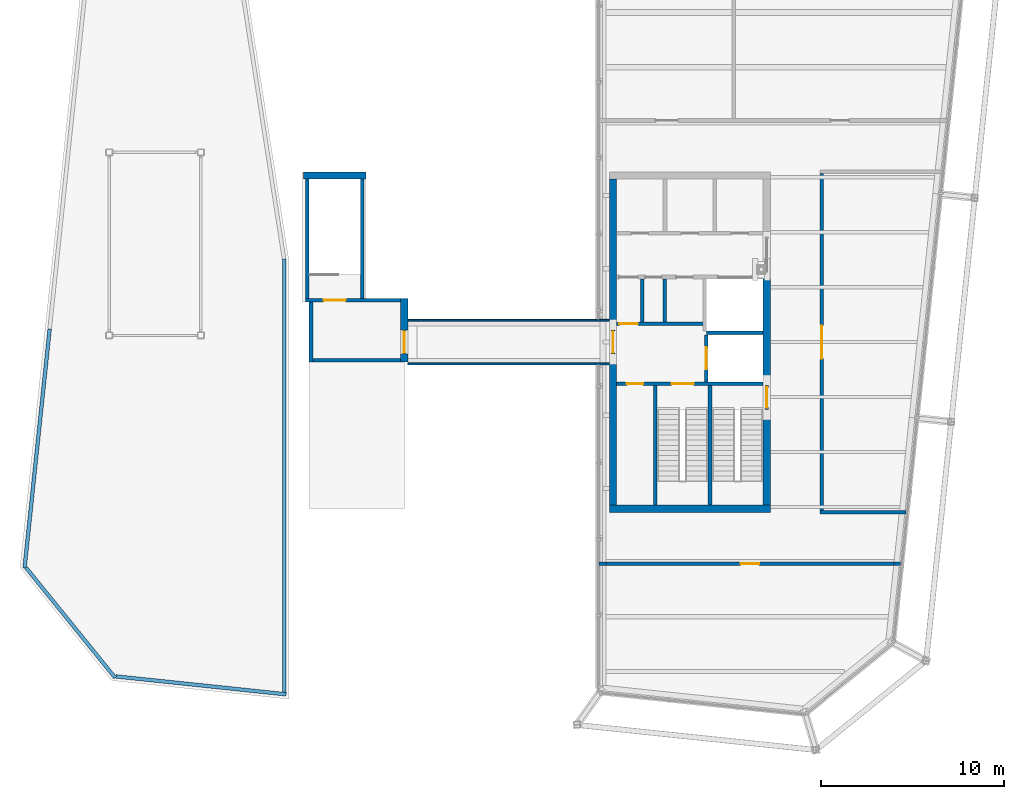
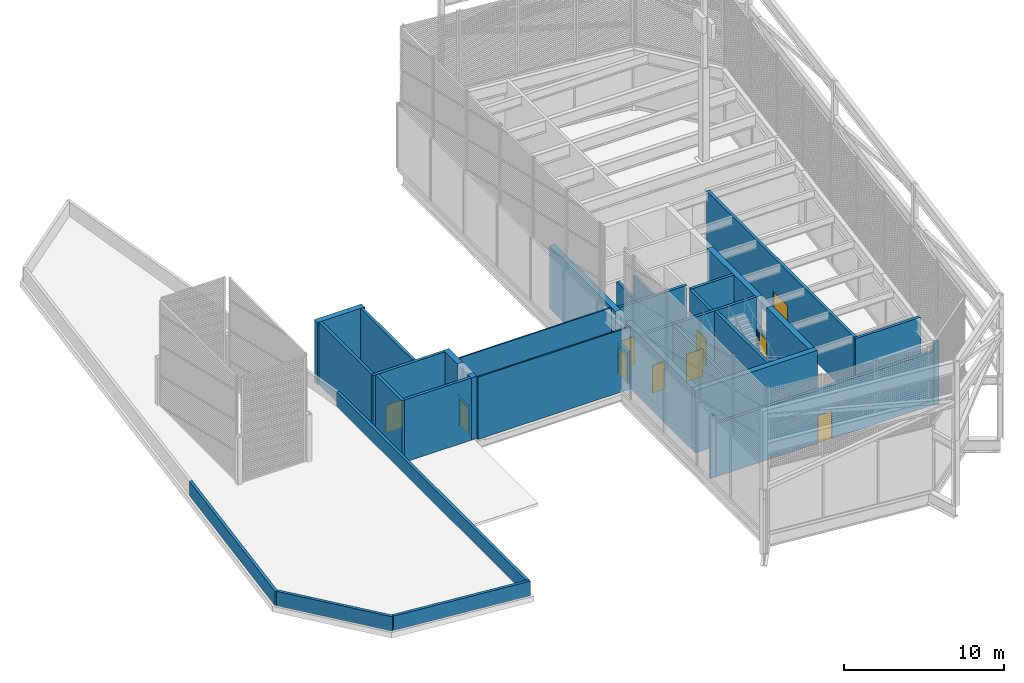
# One storey, part 9 of 11: 35 walls, 10 doors, 10 openings.
"""IFC4 building model written with IfcOpenShell, lengths in metres."""

from ifc_helpers import new_model, si_unit, direction, frame, frame_2d, origin, place, context, subcontext, project, spatial, rectangle, extrude, material, layer, layer_set, type_object, element, fill, save


model = new_model("IFC4")

# Units and contexts
model_context = context("Model", 3, precision=1e-05, world=origin(), true_north=direction((0.0, 1.0)))
body_context = subcontext(model_context, "Body", "Model", "MODEL_VIEW")
ifc_project = project(units=[si_unit("LENGTHUNIT", "METRE"), si_unit("AREAUNIT", "SQUARE_METRE"), si_unit("VOLUMEUNIT", "CUBIC_METRE"), si_unit("PLANEANGLEUNIT", "RADIAN"), si_unit("MASSUNIT", "GRAM", prefix="KILO")], contexts=[model_context])

# Site, building, storey
site_placement = place(None, origin())
site = spatial("IfcSite", under=ifc_project, at=site_placement, CompositionType="ELEMENT")
building_placement = place(site_placement, origin())
building = spatial("IfcBuilding", under=site, at=building_placement, Name="Millrace Tower", CompositionType="ELEMENT")
storey_placement = place(building_placement, frame((0.0, 0.0, 357.10009765625)))
storey = spatial("IfcBuildingStorey", under=building, at=storey_placement, Name="L82", CompositionType="ELEMENT", Elevation=357.10009765625)

# Walls
ifc_material_1 = material(Name="Concrete C60", Category="concrete")
ifc_layer_1 = layer(ifc_material_1, 0.39990234375)
ifc_layer_set_1 = layer_set([ifc_layer_1], Name="Concrete C60")
wall_type_1 = type_object("IfcWallType", Name="Core wall 400 Concrete C60", PredefinedType="SHEAR", material=ifc_layer_set_1)
wall_1_placement = place(storey_placement, frame((14.300048828125, -9.10009765625, 0.0), z_axis=(0.0, 0.0, 1.0), x_axis=(-1.0, 0.0, 0.0)))
element("IfcWall", 1, at=wall_1_placement, inside=storey, type_object=wall_type_1, Name="Core wall E L82", PredefinedType="SHEAR", context=body_context, shape_type="SweptSolid", body=[
    extrude(rectangle(XDim=8.800048828125, YDim=0.39990234375, at=frame_2d((4.39990234375, 0.0))), origin(), (0.0, 0.0, 1.0), 4.75),
])
wall_2_placement = place(storey_placement, frame((14.10009765625, 3.75, 0.0), z_axis=(0.0, 0.0, 1.0), x_axis=(0.0, -1.0, 0.0)))
element("IfcWall", 2, at=wall_2_placement, inside=storey, type_object=wall_type_1, Name="Core wall E L82", PredefinedType="SHEAR", context=body_context, shape_type="SweptSolid", body=[
    extrude(rectangle(XDim=6.1298828125, YDim=0.39990234375, at=frame_2d((3.06494140625, 0.0))), origin(), (0.0, 0.0, 1.0), 4.75),
])
wall_3_placement = place(storey_placement, frame((14.10009765625, -3.679931640625, 0.0), z_axis=(0.0, 0.0, 1.0), x_axis=(0.0, -1.0, 0.0)))
element("IfcWall", 3, at=wall_3_placement, inside=storey, type_object=wall_type_1, Name="Core wall E L82", PredefinedType="SHEAR", context=body_context, shape_type="SweptSolid", body=[
    extrude(rectangle(XDim=5.219970703125, YDim=0.39990234375, at=frame_2d((2.60986328125, 0.0))), origin(), (0.0, 0.0, 1.0), 4.75),
])
for number, where, z_axis, x_axis, name in (
    (4, (5.699951171875, 8.89990234375, 0.0), (0.0, 0.0, 1.0), (0.0, -1.0, 0.0), "Core wall E L82"),
    (5, (5.699951171875, -0.64990234375, 0.0), (0.0, 0.0, 1.0), (0.0, -1.0, 0.0), "Core wall E L82"),
):
    element("IfcWall", number, at=place(storey_placement, frame(where, z_axis=z_axis, x_axis=x_axis)), inside=storey, type_object=wall_type_1, Name=name, PredefinedType="SHEAR", context=body_context, shape_type="SweptSolid", body=[
        extrude(rectangle(XDim=8.25, YDim=0.39990234375, at=frame_2d((4.125, 0.0))), origin(), (0.0, 0.0, 1.0), 4.75),
    ])
ifc_material_2 = material(Name="Masonry partition, fire-rated", Category="masonry")
ifc_layer_2 = layer(ifc_material_2, 0.199951171875)
ifc_layer_set_2 = layer_set([ifc_layer_2], Name="Masonry partition, fire-rated")
wall_type_2 = type_object("IfcWallType", Name="Corridor wall 200", PredefinedType="PARTITIONING", material=ifc_layer_set_2)
wall_4_placement = place(storey_placement, frame((4.93994140625, -12.10009765625, 0.0), z_axis=(0.0, 0.0, 1.0), x_axis=(1.0, 0.0, 0.0)))
element("IfcWall", 6, at=wall_4_placement, inside=storey, type_object=wall_type_2, Name="Corridor wall L82", PredefinedType="PARTITIONING", context=body_context, shape_type="SweptSolid", body=[
    extrude(rectangle(XDim=0.367431640625, YDim=0.199951171875, at=frame_2d((0.18359375, 0.0))), origin(), (0.0, 0.0, 1.0), 4.75),
])

# Wall, opening, door
wall_5_placement = place(storey_placement, frame((5.307373046875, -12.10009765625, 0.0), z_axis=(0.0, 0.0, 1.0), x_axis=(1.0, 0.0, 0.0)))
wall_5 = element("IfcWall", 7, at=wall_5_placement, inside=storey, type_object=wall_type_2, Name="Corridor wall L82", PredefinedType="PARTITIONING", context=body_context, shape_type="SweptSolid", body=[
    extrude(rectangle(XDim=15.740478515625, YDim=0.199951171875, at=frame_2d((7.8701171875, 0.0))), origin(), (0.0, 0.0, 1.0), 4.056396484375),
])
opening_1_placement = place(wall_5_placement, frame((7.365966796875, 0.0, 0.0)))
opening_1 = element("IfcOpeningElement", 8, at=opening_1_placement, cuts=wall_5, Name="Opening 82-P004", PredefinedType="OPENING", context=body_context, shape_type="SweptSolid", body=[
    extrude(rectangle(XDim=1.0, YDim=2.10009765625, at=frame_2d((0.5, 1.050048828125))), frame((0.0, 0.10986328125, 0.0), z_axis=(0.0, -1.0, 0.0), x_axis=(1.0, 0.0, 0.0)), (0.0, 0.0, 1.0), 0.219970703125),
])
ifc_material_3 = material(Name="Steel door set, fire-rated", Category="steel")
door_type_1 = type_object("IfcDoorType", Name="Corridor door 1000 x 2100", OperationType="SINGLE_SWING_LEFT", PredefinedType="DOOR", material=ifc_material_3)
door_1_placement = place(opening_1_placement, frame((1.0, 0.0, 0.0), z_axis=(0.0, 0.0, 1.0), x_axis=(-1.0, 0.0, 0.0)))
door_1 = element("IfcDoor", 9, at=door_1_placement, inside=storey, type_object=door_type_1, Name="Door 82-P004", OperationType="SINGLE_SWING_LEFT", OverallHeight=2.10009765625, OverallWidth=1.0, PredefinedType="DOOR", context=body_context, shape_type="SweptSolid", body=[
    extrude(rectangle(XDim=1.0, YDim=2.10009765625, at=frame_2d((0.5, 1.050048828125))), frame((0.0, 0.02490234375, 0.0), z_axis=(0.0, -1.0, 0.0), x_axis=(1.0, 0.0, 0.0)), (0.0, 0.0, 1.0), 0.050048828125),
])
fill(opening_1, door_1)

# Walls
wall_6_placement = place(storey_placement, frame((21.0478515625, -12.10009765625, 0.0), z_axis=(0.0, 0.0, 1.0), x_axis=(1.0, 0.0, 0.0)))
element("IfcWall", 10, at=wall_6_placement, inside=storey, type_object=wall_type_2, Name="Corridor wall L82", PredefinedType="PARTITIONING", context=body_context, shape_type="SweptSolid", body=[
    extrude(rectangle(XDim=0.35888671875, YDim=0.199951171875, at=frame_2d((0.179443359375, 0.0))), origin(), (0.0, 0.0, 1.0), 4.75),
])
wall_7_placement = place(storey_placement, frame((17.0, -9.300048828125, 0.0), z_axis=(0.0, 0.0, 1.0), x_axis=(1.0, 0.0, 0.0)))
element("IfcWall", 11, at=wall_7_placement, inside=storey, type_object=wall_type_2, Name="Corridor wall L82", PredefinedType="PARTITIONING", context=body_context, shape_type="SweptSolid", body=[
    extrude(rectangle(XDim=4.700927734375, YDim=0.199951171875, at=frame_2d((2.3505859375, 0.0))), origin(), (0.0, 0.0, 1.0), 4.75),
])

# Wall, opening, door
wall_8_placement = place(storey_placement, frame((17.10009765625, -9.199951171875, 0.0), z_axis=(0.0, 0.0, 1.0), x_axis=(0.0, 1.0, 0.0)))
wall_8 = element("IfcWall", 12, at=wall_8_placement, inside=storey, type_object=wall_type_2, Name="Corridor wall L82", PredefinedType="PARTITIONING", context=body_context, shape_type="SweptSolid", body=[
    extrude(rectangle(XDim=18.39990234375, YDim=0.199951171875, at=frame_2d((9.199951171875, 0.0))), origin(), (0.0, 0.0, 1.0), 4.75),
])
opening_2_placement = place(wall_8_placement, frame((8.300048828125, 0.0, 0.0)))
opening_2 = element("IfcOpeningElement", 13, at=opening_2_placement, cuts=wall_8, Name="Opening 82-P003", PredefinedType="OPENING", context=body_context, shape_type="SweptSolid", body=[
    extrude(rectangle(XDim=1.800048828125, YDim=2.10009765625, at=frame_2d((0.89990234375, 1.050048828125))), frame((0.0, 0.10986328125, 0.0), z_axis=(0.0, -1.0, 0.0), x_axis=(1.0, 0.0, 0.0)), (0.0, 0.0, 1.0), 0.219970703125),
])
ifc_material_4 = material(Name="Steel door set, fire-rated", Category="steel")
door_type_2 = type_object("IfcDoorType", Name="Corridor door 1800 x 2100", OperationType="DOUBLE_DOOR_SINGLE_SWING", PredefinedType="DOOR", material=ifc_material_4)
door_2_placement = place(opening_2_placement, frame((1.800048828125, 0.0, 0.0), z_axis=(0.0, 0.0, 1.0), x_axis=(-1.0, 0.0, 0.0)))
door_2 = element("IfcDoor", 14, at=door_2_placement, inside=storey, type_object=door_type_2, Name="Door 82-P003", OperationType="DOUBLE_DOOR_SINGLE_SWING", OverallHeight=2.10009765625, OverallWidth=1.800048828125, PredefinedType="DOOR", context=body_context, shape_type="SweptSolid", body=[
    extrude(rectangle(XDim=1.800048828125, YDim=2.10009765625, at=frame_2d((0.89990234375, 1.050048828125))), frame((0.0, 0.02490234375, 0.0), z_axis=(0.0, -1.0, 0.0), x_axis=(1.0, 0.0, 0.0)), (0.0, 0.0, 1.0), 0.050048828125),
])
fill(opening_2, door_2)

# Walls
ifc_material_5 = material(Name="Fire-resistant glazing", Category="glass")
ifc_layer_3 = layer(ifc_material_5, 0.10009765625)
ifc_layer_set_3 = layer_set([ifc_layer_3], Name="Fire-resistant glazing")
wall_type_3 = type_object("IfcWallType", Name="Glazed fire screen 100", PredefinedType="PARTITIONING", material=ifc_layer_set_3)
for number, where, z_axis, x_axis, name in (
    (15, (-5.5, -1.18994140625, 0.0), (0.0, 0.0, 1.0), (1.0, 0.0, 0.0), "Crown link glazed wall L82"),
    (16, (-5.5, 1.18994140625, 0.0), (0.0, 0.0, 1.0), (1.0, 0.0, 0.0), "Crown link glazed wall L82"),
):
    element("IfcWall", number, at=place(storey_placement, frame(where, z_axis=z_axis, x_axis=x_axis)), inside=storey, type_object=wall_type_3, Name=name, PredefinedType="PARTITIONING", context=body_context, shape_type="SweptSolid", body=[
        extrude(rectangle(XDim=11.0, YDim=0.10009765625, at=frame_2d((5.5, 0.0))), origin(), (0.0, 0.0, 1.0), 4.75),
    ])
ifc_material_6 = material(Name="Masonry partition, fire-rated", Category="masonry")
ifc_layer_4 = layer(ifc_material_6, 0.199951171875)
ifc_layer_set_4 = layer_set([ifc_layer_4], Name="Masonry partition, fire-rated")
wall_type_4 = type_object("IfcWallType", Name="Lift shaft wall 200", PredefinedType="PARTITIONING", material=ifc_layer_set_4)
wall_9_placement = place(storey_placement, frame((13.89990234375, 0.5, 0.0), z_axis=(0.0, 0.0, 1.0), x_axis=(-1.0, 0.0, 0.0)))
element("IfcWall", 17, at=wall_9_placement, inside=storey, type_object=wall_type_4, Name="Lift shaft wall E L82", PredefinedType="PARTITIONING", context=body_context, shape_type="SweptSolid", body=[
    extrude(rectangle(XDim=3.099853515625, YDim=0.199951171875, at=frame_2d((1.5498046875, 0.0))), origin(), (0.0, 0.0, 1.0), 4.75),
])

# Wall, opening, door
wall_10_placement = place(storey_placement, frame((10.800048828125, 1.0, 0.0), z_axis=(0.0, 0.0, 1.0), x_axis=(-1.0, 0.0, 0.0)))
wall_10 = element("IfcWall", 18, at=wall_10_placement, inside=storey, type_object=wall_type_4, Name="Lift shaft wall E L82", PredefinedType="PARTITIONING", context=body_context, shape_type="SweptSolid", body=[
    extrude(rectangle(XDim=4.900146484375, YDim=0.199951171875, at=frame_2d((2.4501953125, 0.0))), origin(), (0.0, 0.0, 1.0), 4.75),
])
opening_3_placement = place(wall_10_placement, frame((3.75, 0.0, 0.0)))
opening_3 = element("IfcOpeningElement", 19, at=opening_3_placement, cuts=wall_10, Name="Opening 82-C012", PredefinedType="OPENING", context=body_context, shape_type="SweptSolid", body=[
    extrude(rectangle(XDim=1.0, YDim=2.10009765625, at=frame_2d((0.5, 1.050048828125))), frame((0.0, 0.10986328125, 0.0), z_axis=(0.0, -1.0, 0.0), x_axis=(1.0, 0.0, 0.0)), (0.0, 0.0, 1.0), 0.219970703125),
])
ifc_material_7 = material(Name="Steel door, fire-rated", Category="steel")
door_type_3 = type_object("IfcDoorType", Name="Lobby door 1000 x 2100", OperationType="SINGLE_SWING_LEFT", PredefinedType="DOOR", material=ifc_material_7)
door_3_placement = place(opening_3_placement, origin())
door_3 = element("IfcDoor", 20, at=door_3_placement, inside=storey, type_object=door_type_3, Name="Lobby door 82-C012", OperationType="SINGLE_SWING_LEFT", OverallHeight=2.10009765625, OverallWidth=1.0, PredefinedType="DOOR", context=body_context, shape_type="SweptSolid", body=[
    extrude(rectangle(XDim=1.0, YDim=2.10009765625, at=frame_2d((0.5, 1.050048828125))), frame((0.0, 0.02490234375, 0.0), z_axis=(0.0, -1.0, 0.0), x_axis=(1.0, 0.0, 0.0)), (0.0, 0.0, 1.0), 0.050048828125),
])
fill(opening_3, door_3)

wall_11_placement = place(storey_placement, frame((10.800048828125, 0.39990234375, 0.0), z_axis=(0.0, 0.0, 1.0), x_axis=(0.0, -1.0, 0.0)))
wall_11 = element("IfcWall", 21, at=wall_11_placement, inside=storey, type_object=wall_type_4, Name="Lift shaft wall E L82", PredefinedType="PARTITIONING", context=body_context, shape_type="SweptSolid", body=[
    extrude(rectangle(XDim=2.579833984375, YDim=0.199951171875, at=frame_2d((1.2900390625, 0.0))), origin(), (0.0, 0.0, 1.0), 4.75),
])
opening_4_placement = place(wall_11_placement, frame((0.68994140625, 0.0, 0.0)))
opening_4 = element("IfcOpeningElement", 22, at=opening_4_placement, cuts=wall_11, Name="Opening 82-LD16", PredefinedType="OPENING", context=body_context, shape_type="SweptSolid", body=[
    extrude(rectangle(XDim=1.199951171875, YDim=2.10009765625, at=frame_2d((0.60009765625, 1.050048828125))), frame((0.0, 0.10986328125, 0.0), z_axis=(0.0, -1.0, 0.0), x_axis=(1.0, 0.0, 0.0)), (0.0, 0.0, 1.0), 0.219970703125),
])
ifc_material_8 = material(Name="Stainless steel, fire-rated", Category="steel")
door_type_4 = type_object("IfcDoorType", Name="Lift landing door 1200 x 2100", OperationType="DOUBLE_DOOR_SLIDING", PredefinedType="DOOR", material=ifc_material_8)
door_4_placement = place(opening_4_placement, origin())
door_4 = element("IfcDoor", 23, at=door_4_placement, inside=storey, type_object=door_type_4, Name="Lift landing door LF16 L82", OperationType="DOUBLE_DOOR_SLIDING", OverallHeight=2.10009765625, OverallWidth=1.199951171875, PredefinedType="DOOR", context=body_context, shape_type="SweptSolid", body=[
    extrude(rectangle(XDim=1.199951171875, YDim=2.10009765625, at=frame_2d((0.60009765625, 1.050048828125))), frame((0.0, 0.02490234375, 0.0), z_axis=(0.0, -1.0, 0.0), x_axis=(1.0, 0.0, 0.0)), (0.0, 0.0, 1.0), 0.050048828125),
])
fill(opening_4, door_4)

# Wall
wall_12_placement = place(storey_placement, frame((7.300048828125, 3.449951171875, 0.0), z_axis=(0.0, 0.0, 1.0), x_axis=(0.0, -1.0, 0.0)))
element("IfcWall", 24, at=wall_12_placement, inside=storey, type_object=wall_type_4, Name="Lift shaft wall E L82", PredefinedType="PARTITIONING", context=body_context, shape_type="SweptSolid", body=[
    extrude(rectangle(XDim=2.349853515625, YDim=0.199951171875, at=frame_2d((1.1748046875, 0.0))), origin(), (0.0, 0.0, 1.0), 4.75),
])

# Wall, opening, door
ifc_material_9 = material(Name="Masonry partition, fire-rated", Category="masonry")
ifc_layer_5 = layer(ifc_material_9, 0.199951171875)
ifc_layer_set_5 = layer_set([ifc_layer_5], Name="Masonry partition, fire-rated")
wall_type_5 = type_object("IfcWallType", Name="Lobby wall 200", PredefinedType="PARTITIONING", material=ifc_layer_set_5)
wall_13_placement = place(storey_placement, frame((-5.699951171875, -0.64990234375, 0.0), z_axis=(0.0, 0.0, 1.0), x_axis=(0.0, 1.0, 0.0)))
wall_13 = element("IfcWall", 25, at=wall_13_placement, inside=storey, type_object=wall_type_5, Name="Lobby wall W L82", PredefinedType="PARTITIONING", context=body_context, shape_type="SweptSolid", body=[
    extrude(rectangle(XDim=1.2998046875, YDim=0.199951171875, at=frame_2d((0.64990234375, 0.0))), origin(), (0.0, 0.0, 1.0), 2.39990234375),
])
opening_5_placement = place(wall_13_placement, frame((0.050048828125, 0.0, 0.0)))
opening_5 = element("IfcOpeningElement", 26, at=opening_5_placement, cuts=wall_13, Name="Opening 82-C001", PredefinedType="OPENING", context=body_context, shape_type="SweptSolid", body=[
    extrude(rectangle(XDim=1.199951171875, YDim=2.10009765625, at=frame_2d((0.60009765625, 1.050048828125))), frame((0.0, 0.10986328125, 0.0), z_axis=(0.0, -1.0, 0.0), x_axis=(1.0, 0.0, 0.0)), (0.0, 0.0, 1.0), 0.219970703125),
])
ifc_material_10 = material(Name="Steel door, fire-rated", Category="steel")
door_type_5 = type_object("IfcDoorType", Name="Lobby door 1200 x 2100", OperationType="SINGLE_SWING_LEFT", PredefinedType="DOOR", material=ifc_material_10)
door_5_placement = place(opening_5_placement, origin())
door_5 = element("IfcDoor", 27, at=door_5_placement, inside=storey, type_object=door_type_5, Name="Lobby door 82-C001", OperationType="SINGLE_SWING_LEFT", OverallHeight=2.10009765625, OverallWidth=1.199951171875, PredefinedType="DOOR", context=body_context, shape_type="SweptSolid", body=[
    extrude(rectangle(XDim=1.199951171875, YDim=2.10009765625, at=frame_2d((0.60009765625, 1.050048828125))), frame((0.0, 0.02490234375, 0.0), z_axis=(0.0, -1.0, 0.0), x_axis=(1.0, 0.0, 0.0)), (0.0, 0.0, 1.0), 0.050048828125),
])
fill(opening_5, door_5)

wall_14_placement = place(storey_placement, frame((5.699951171875, 0.64990234375, 0.0), z_axis=(0.0, 0.0, 1.0), x_axis=(0.0, -1.0, 0.0)))
wall_14 = element("IfcWall", 28, at=wall_14_placement, inside=storey, type_object=wall_type_5, Name="Lobby wall E L82", PredefinedType="PARTITIONING", context=body_context, shape_type="SweptSolid", body=[
    extrude(rectangle(XDim=1.2998046875, YDim=0.199951171875, at=frame_2d((0.64990234375, 0.0))), origin(), (0.0, 0.0, 1.0), 2.39990234375),
])
opening_6_placement = place(wall_14_placement, frame((0.050048828125, 0.0, 0.0)))
opening_6 = element("IfcOpeningElement", 29, at=opening_6_placement, cuts=wall_14, Name="Opening 82-C005", PredefinedType="OPENING", context=body_context, shape_type="SweptSolid", body=[
    extrude(rectangle(XDim=1.199951171875, YDim=2.10009765625, at=frame_2d((0.60009765625, 1.050048828125))), frame((0.0, 0.10986328125, 0.0), z_axis=(0.0, -1.0, 0.0), x_axis=(1.0, 0.0, 0.0)), (0.0, 0.0, 1.0), 0.219970703125),
])
door_6_placement = place(opening_6_placement, origin())
door_6 = element("IfcDoor", 30, at=door_6_placement, inside=storey, type_object=door_type_5, Name="Lobby door 82-C005", OperationType="SINGLE_SWING_LEFT", OverallHeight=2.10009765625, OverallWidth=1.199951171875, PredefinedType="DOOR", context=body_context, shape_type="SweptSolid", body=[
    extrude(rectangle(XDim=1.199951171875, YDim=2.10009765625, at=frame_2d((0.60009765625, 1.050048828125))), frame((0.0, 0.02490234375, 0.0), z_axis=(0.0, -1.0, 0.0), x_axis=(1.0, 0.0, 0.0)), (0.0, 0.0, 1.0), 0.050048828125),
])
fill(opening_6, door_6)

# Walls
ifc_material_11 = material(Name="Concrete C40", Category="concrete")
ifc_layer_6 = layer(ifc_material_11, 0.199951171875)
ifc_layer_set_6 = layer_set([ifc_layer_6], Name="Concrete C40")
wall_type_6 = type_object("IfcWallType", Name="Roof parapet 1100", PredefinedType="PARAPET", material=ifc_layer_set_6)
wall_15_placement = place(storey_placement, frame((-25.067626953125, 0.721435546875, 1.419921875), z_axis=(0.0, 0.0, 1.0), x_axis=(-0.104528932251, -0.994521846076, 0.0)))
element("IfcWall", 31, at=wall_15_placement, inside=storey, type_object=wall_type_6, Name="Crown roof parapet W 4", PredefinedType="PARAPET", context=body_context, shape_type="SweptSolid", body=[
    extrude(rectangle(XDim=13.128662109375, YDim=0.199951171875, at=frame_2d((6.564453125, 0.0))), origin(), (0.0, 0.0, 1.0), 1.10009765625),
])
wall_16_placement = place(storey_placement, frame((-26.36669921875, -12.3134765625, 1.419921875), z_axis=(0.0, 0.0, 1.0), x_axis=(0.62932438279, -0.777142728993, 0.0)))
element("IfcWall", 32, at=wall_16_placement, inside=storey, type_object=wall_type_6, Name="Crown roof parapet W 5", PredefinedType="PARAPET", context=body_context, shape_type="SweptSolid", body=[
    extrude(rectangle(XDim=7.73779296875, YDim=0.199951171875, at=frame_2d((3.868896484375, 0.0))), origin(), (0.0, 0.0, 1.0), 1.10009765625),
])
wall_17_placement = place(storey_placement, frame((-21.46044921875, -18.259765625, 1.419921875), z_axis=(0.0, 0.0, 1.0), x_axis=(0.994521732162, -0.104530016062, 0.0)))
element("IfcWall", 33, at=wall_17_placement, inside=storey, type_object=wall_type_6, Name="Crown roof parapet W 6", PredefinedType="PARAPET", context=body_context, shape_type="SweptSolid", body=[
    extrude(rectangle(XDim=9.361083984375, YDim=0.199951171875, at=frame_2d((4.6806640625, 0.0))), origin(), (0.0, 0.0, 1.0), 1.10009765625),
])
wall_18_placement = place(storey_placement, frame((-12.25, -19.127685546875, 1.419921875), z_axis=(0.0, 0.0, 1.0), x_axis=(0.0, 1.0, 0.0)))
element("IfcWall", 34, at=wall_18_placement, inside=storey, type_object=wall_type_6, Name="Crown roof parapet W 7", PredefinedType="PARAPET", context=body_context, shape_type="SweptSolid", body=[
    extrude(rectangle(XDim=23.65771484375, YDim=0.199951171875, at=frame_2d((11.828857421875, 0.0))), origin(), (0.0, 0.0, 1.0), 1.10009765625),
])
ifc_material_12 = material(Name="Masonry partition, fire-rated", Category="masonry")
ifc_layer_7 = layer(ifc_material_12, 0.199951171875)
ifc_layer_set_7 = layer_set([ifc_layer_7], Name="Masonry partition, fire-rated")
wall_type_7 = type_object("IfcWallType", Name="Room partition 200", PredefinedType="PARTITIONING", material=ifc_layer_set_7)
wall_19_placement = place(storey_placement, frame((8.52001953125, 3.449951171875, 0.0), z_axis=(0.0, 0.0, 1.0), x_axis=(0.0, -1.0, 0.0)))
element("IfcWall", 35, at=wall_19_placement, inside=storey, type_object=wall_type_7, Name="Room partition E L82", PredefinedType="PARTITIONING", context=body_context, shape_type="SweptSolid", body=[
    extrude(rectangle(XDim=2.349853515625, YDim=0.199951171875, at=frame_2d((1.1748046875, 0.0))), origin(), (0.0, 0.0, 1.0), 4.75),
])
ifc_material_13 = material(Name="Concrete C40", Category="concrete")
ifc_layer_8 = layer(ifc_material_13, 0.199951171875)
ifc_layer_set_8 = layer_set([ifc_layer_8], Name="Concrete C40")
wall_type_8 = type_object("IfcWallType", Name="Stair enclosure wall 200 Concrete C40", PredefinedType="SHEAR", material=ifc_layer_set_8)
for number, where, z_axis, x_axis, name in (
    (36, (-11.0, 2.3798828125, 0.0), (0.0, 0.0, 1.0), (0.0, 1.0, 0.0), "Stair enclosure wall W L82"),
    (37, (-8.0, 2.3798828125, 0.0), (0.0, 0.0, 1.0), (0.0, 1.0, 0.0), "Stair enclosure wall W L82"),
):
    element("IfcWall", number, at=place(storey_placement, frame(where, z_axis=z_axis, x_axis=x_axis)), inside=storey, type_object=wall_type_8, Name=name, PredefinedType="SHEAR", context=body_context, shape_type="SweptSolid", body=[
        extrude(rectangle(XDim=6.52001953125, YDim=0.199951171875, at=frame_2d((3.260009765625, 0.0))), origin(), (0.0, 0.0, 1.0), 4.75),
    ])

# Wall, opening, door
wall_20_placement = place(storey_placement, frame((-11.10009765625, 2.280029296875, 0.0), z_axis=(0.0, 0.0, 1.0), x_axis=(1.0, 0.0, 0.0)))
wall_20 = element("IfcWall", 38, at=wall_20_placement, inside=storey, type_object=wall_type_8, Name="Stair enclosure wall W L82", PredefinedType="SHEAR", context=body_context, shape_type="SweptSolid", body=[
    extrude(rectangle(XDim=5.2001953125, YDim=0.199951171875, at=frame_2d((2.60009765625, 0.0))), origin(), (0.0, 0.0, 1.0), 4.75),
])
opening_7_placement = place(wall_20_placement, frame((1.0, 0.0, 0.0)))
opening_7 = element("IfcOpeningElement", 39, at=opening_7_placement, cuts=wall_20, Name="Opening 82-C002", PredefinedType="OPENING", context=body_context, shape_type="SweptSolid", body=[
    extrude(rectangle(XDim=1.199951171875, YDim=2.10009765625, at=frame_2d((0.60009765625, 1.050048828125))), frame((0.0, 0.10986328125, 0.0), z_axis=(0.0, -1.0, 0.0), x_axis=(1.0, 0.0, 0.0)), (0.0, 0.0, 1.0), 0.219970703125),
])
ifc_material_14 = material(Name="Steel door, fire-rated", Category="steel")
door_type_6 = type_object("IfcDoorType", Name="Stair door 1200 x 2100", OperationType="SINGLE_SWING_LEFT", PredefinedType="DOOR", material=ifc_material_14)
door_7_placement = place(opening_7_placement, frame((1.199951171875, 0.0, 0.0), z_axis=(0.0, 0.0, 1.0), x_axis=(-1.0, 0.0, 0.0)))
door_7 = element("IfcDoor", 40, at=door_7_placement, inside=storey, type_object=door_type_6, Name="Stair door 82-C002", OperationType="SINGLE_SWING_RIGHT", OverallHeight=2.10009765625, OverallWidth=1.199951171875, PredefinedType="DOOR", context=body_context, shape_type="SweptSolid", body=[
    extrude(rectangle(XDim=1.199951171875, YDim=2.10009765625, at=frame_2d((0.60009765625, 1.050048828125))), frame((0.0, 0.02490234375, 0.0), z_axis=(0.0, -1.0, 0.0), x_axis=(1.0, 0.0, 0.0)), (0.0, 0.0, 1.0), 0.050048828125),
])
fill(opening_7, door_7)

# Walls
wall_21_placement = place(storey_placement, frame((-10.800048828125, -1.10009765625, 0.0), z_axis=(0.0, 0.0, 1.0), x_axis=(0.0, 1.0, 0.0)))
element("IfcWall", 41, at=wall_21_placement, inside=storey, type_object=wall_type_8, Name="Stair enclosure wall W L82", PredefinedType="SHEAR", context=body_context, shape_type="SweptSolid", body=[
    extrude(rectangle(XDim=3.280029296875, YDim=0.199951171875, at=frame_2d((1.64013671875, 0.0))), origin(), (0.0, 0.0, 1.0), 4.75),
])
wall_22_placement = place(storey_placement, frame((-10.89990234375, -1.0, 0.0), z_axis=(0.0, 0.0, 1.0), x_axis=(1.0, 0.0, 0.0)))
element("IfcWall", 42, at=wall_22_placement, inside=storey, type_object=wall_type_8, Name="Stair enclosure wall W L82", PredefinedType="SHEAR", context=body_context, shape_type="SweptSolid", body=[
    extrude(rectangle(XDim=5.0, YDim=0.199951171875, at=frame_2d((2.5, 0.0))), origin(), (0.0, 0.0, 1.0), 4.75),
])

# Wall, opening, door
wall_23_placement = place(storey_placement, frame((14.10009765625, -2.3798828125, 0.0), z_axis=(0.0, 0.0, 1.0), x_axis=(0.0, -1.0, 0.0)))
wall_23 = element("IfcWall", 43, at=wall_23_placement, inside=storey, type_object=wall_type_8, Name="Stair enclosure wall E L82", PredefinedType="SHEAR", context=body_context, shape_type="SweptSolid", body=[
    extrude(rectangle(XDim=1.300048828125, YDim=0.199951171875, at=frame_2d((0.64990234375, 0.0))), origin(), (0.0, 0.0, 1.0), 2.39990234375),
])
opening_8_placement = place(wall_23_placement, frame((0.10009765625, 0.0, 0.0)))
opening_8 = element("IfcOpeningElement", 44, at=opening_8_placement, cuts=wall_23, Name="Opening 82-C004", PredefinedType="OPENING", context=body_context, shape_type="SweptSolid", body=[
    extrude(rectangle(XDim=1.10009765625, YDim=2.10009765625, at=frame_2d((0.550048828125, 1.050048828125))), frame((0.0, 0.10986328125, 0.0), z_axis=(0.0, -1.0, 0.0), x_axis=(1.0, 0.0, 0.0)), (0.0, 0.0, 1.0), 0.219970703125),
])
ifc_material_15 = material(Name="Steel door, fire-rated", Category="steel")
door_type_7 = type_object("IfcDoorType", Name="Stair door 1100 x 2100", OperationType="SINGLE_SWING_LEFT", PredefinedType="DOOR", material=ifc_material_15)
door_8_placement = place(opening_8_placement, origin())
door_8 = element("IfcDoor", 45, at=door_8_placement, inside=storey, type_object=door_type_7, Name="Stair door 82-C004", OperationType="SINGLE_SWING_LEFT", OverallHeight=2.10009765625, OverallWidth=1.10009765625, PredefinedType="DOOR", context=body_context, shape_type="SweptSolid", body=[
    extrude(rectangle(XDim=1.10009765625, YDim=2.10009765625, at=frame_2d((0.550048828125, 1.050048828125))), frame((0.0, 0.02490234375, 0.0), z_axis=(0.0, -1.0, 0.0), x_axis=(1.0, 0.0, 0.0)), (0.0, 0.0, 1.0), 0.050048828125),
])
fill(opening_8, door_8)

# Wall, openings, doors
wall_24_placement = place(storey_placement, frame((13.89990234375, -2.280029296875, 0.0), z_axis=(0.0, 0.0, 1.0), x_axis=(-1.0, 0.0, 0.0)))
wall_24 = element("IfcWall", 46, at=wall_24_placement, inside=storey, type_object=wall_type_8, Name="Stair enclosure wall E L82", PredefinedType="SHEAR", context=body_context, shape_type="SweptSolid", body=[
    extrude(rectangle(XDim=8.0, YDim=0.199951171875, at=frame_2d((4.0, 0.0))), origin(), (0.0, 0.0, 1.0), 4.75),
])
opening_9_placement = place(wall_24_placement, frame((3.800048828125, 0.0, 0.0)))
opening_9 = element("IfcOpeningElement", 47, at=opening_9_placement, cuts=wall_24, Name="Opening 82-C013", PredefinedType="OPENING", context=body_context, shape_type="SweptSolid", body=[
    extrude(rectangle(XDim=1.199951171875, YDim=2.10009765625, at=frame_2d((0.60009765625, 1.050048828125))), frame((0.0, 0.10986328125, 0.0), z_axis=(0.0, -1.0, 0.0), x_axis=(1.0, 0.0, 0.0)), (0.0, 0.0, 1.0), 0.219970703125),
])
opening_10_placement = place(wall_24_placement, frame((6.550048828125, 0.0, 0.0)))
opening_10 = element("IfcOpeningElement", 48, at=opening_10_placement, cuts=wall_24, Name="Opening 82-C014", PredefinedType="OPENING", context=body_context, shape_type="SweptSolid", body=[
    extrude(rectangle(XDim=0.89990234375, YDim=2.10009765625, at=frame_2d((0.449951171875, 1.050048828125))), frame((0.0, 0.10986328125, 0.0), z_axis=(0.0, -1.0, 0.0), x_axis=(1.0, 0.0, 0.0)), (0.0, 0.0, 1.0), 0.219970703125),
])
ifc_material_16 = material(Name="Steel door, fire-rated", Category="steel")
door_type_8 = type_object("IfcDoorType", Name="Service room door 900 x 2100", OperationType="SINGLE_SWING_LEFT", PredefinedType="DOOR", material=ifc_material_16)
door_9_placement = place(opening_10_placement, origin())
door_9 = element("IfcDoor", 49, at=door_9_placement, inside=storey, type_object=door_type_8, Name="Service room door 82-C014", OperationType="SINGLE_SWING_RIGHT", OverallHeight=2.10009765625, OverallWidth=0.89990234375, PredefinedType="DOOR", context=body_context, shape_type="SweptSolid", body=[
    extrude(rectangle(XDim=0.89990234375, YDim=2.10009765625, at=frame_2d((0.449951171875, 1.050048828125))), frame((0.0, 0.02490234375, 0.0), z_axis=(0.0, -1.0, 0.0), x_axis=(1.0, 0.0, 0.0)), (0.0, 0.0, 1.0), 0.050048828125),
])
fill(opening_10, door_9)
door_10_placement = place(opening_9_placement, frame((1.199951171875, 0.0, 0.0), z_axis=(0.0, 0.0, 1.0), x_axis=(-1.0, 0.0, 0.0)))
door_10 = element("IfcDoor", 50, at=door_10_placement, inside=storey, type_object=door_type_6, Name="Stair door 82-C013", OperationType="SINGLE_SWING_LEFT", OverallHeight=2.10009765625, OverallWidth=1.199951171875, PredefinedType="DOOR", context=body_context, shape_type="SweptSolid", body=[
    extrude(rectangle(XDim=1.199951171875, YDim=2.10009765625, at=frame_2d((0.60009765625, 1.050048828125))), frame((0.0, 0.02490234375, 0.0), z_axis=(0.0, -1.0, 0.0), x_axis=(1.0, 0.0, 0.0)), (0.0, 0.0, 1.0), 0.050048828125),
])
fill(opening_9, door_10)

# Walls
for number, where, z_axis, x_axis, name in (
    (51, (11.0, -2.3798828125, 0.0), (0.0, 0.0, 1.0), (0.0, -1.0, 0.0), "Stair enclosure wall E L82"),
    (52, (8.0, -2.3798828125, 0.0), (0.0, 0.0, 1.0), (0.0, -1.0, 0.0), "Stair enclosure wall E L82"),
):
    element("IfcWall", number, at=place(storey_placement, frame(where, z_axis=z_axis, x_axis=x_axis)), inside=storey, type_object=wall_type_8, Name=name, PredefinedType="SHEAR", context=body_context, shape_type="SweptSolid", body=[
        extrude(rectangle(XDim=6.52001953125, YDim=0.199951171875, at=frame_2d((3.260009765625, 0.0))), origin(), (0.0, 0.0, 1.0), 4.75),
    ])
ifc_material_17 = material(Name="Concrete C40", Category="concrete")
ifc_layer_9 = layer(ifc_material_17, 0.39990234375)
ifc_layer_set_9 = layer_set([ifc_layer_9], Name="Concrete C40")
wall_type_9 = type_object("IfcWallType", Name="Stair enclosure wall 400 Concrete C40", PredefinedType="SHEAR", material=ifc_layer_set_9)
wall_25_placement = place(storey_placement, frame((-11.199951171875, 9.10009765625, 0.0), z_axis=(0.0, 0.0, 1.0), x_axis=(1.0, 0.0, 0.0)))
element("IfcWall", 53, at=wall_25_placement, inside=storey, type_object=wall_type_9, Name="Stair enclosure wall W L82", PredefinedType="SHEAR", context=body_context, shape_type="SweptSolid", body=[
    extrude(rectangle(XDim=3.39990234375, YDim=0.39990234375, at=frame_2d((1.699951171875, 0.0))), origin(), (0.0, 0.0, 1.0), 4.75),
])
wall_26_placement = place(storey_placement, frame((-5.699951171875, -1.10009765625, 0.0), z_axis=(0.0, 0.0, 1.0), x_axis=(0.0, 1.0, 0.0)))
element("IfcWall", 54, at=wall_26_placement, inside=storey, type_object=wall_type_9, Name="Stair enclosure wall W L82", PredefinedType="SHEAR", context=body_context, shape_type="SweptSolid", body=[
    extrude(rectangle(XDim=0.4501953125, YDim=0.39990234375, at=frame_2d((0.22509765625, 0.0))), origin(), (0.0, 0.0, 1.0), 4.75),
])
wall_27_placement = place(storey_placement, frame((-5.699951171875, 0.64990234375, 0.0), z_axis=(0.0, 0.0, 1.0), x_axis=(0.0, 1.0, 0.0)))
element("IfcWall", 55, at=wall_27_placement, inside=storey, type_object=wall_type_9, Name="Stair enclosure wall W L82", PredefinedType="SHEAR", context=body_context, shape_type="SweptSolid", body=[
    extrude(rectangle(XDim=1.72998046875, YDim=0.39990234375, at=frame_2d((0.864990234375, 0.0))), origin(), (0.0, 0.0, 1.0), 4.75),
])

save(model, "model.ifc")
